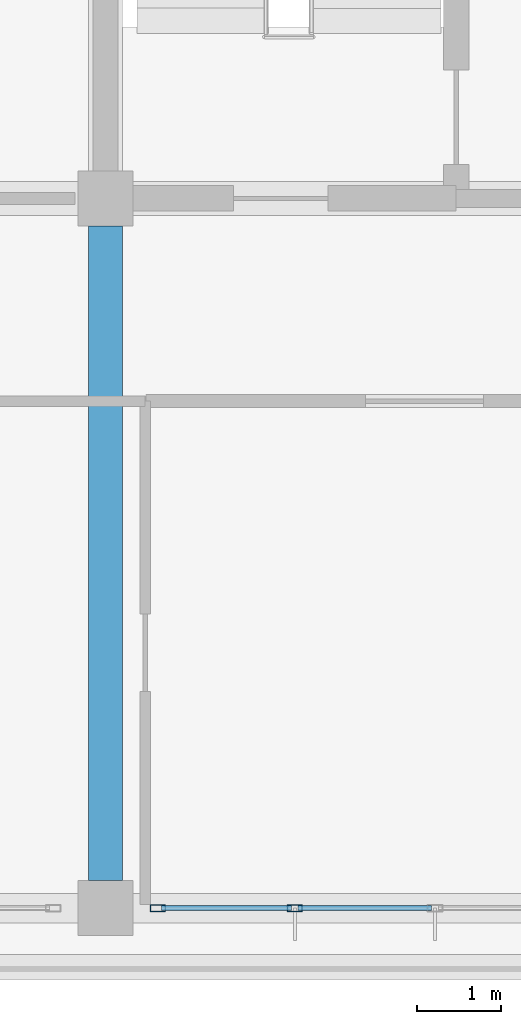
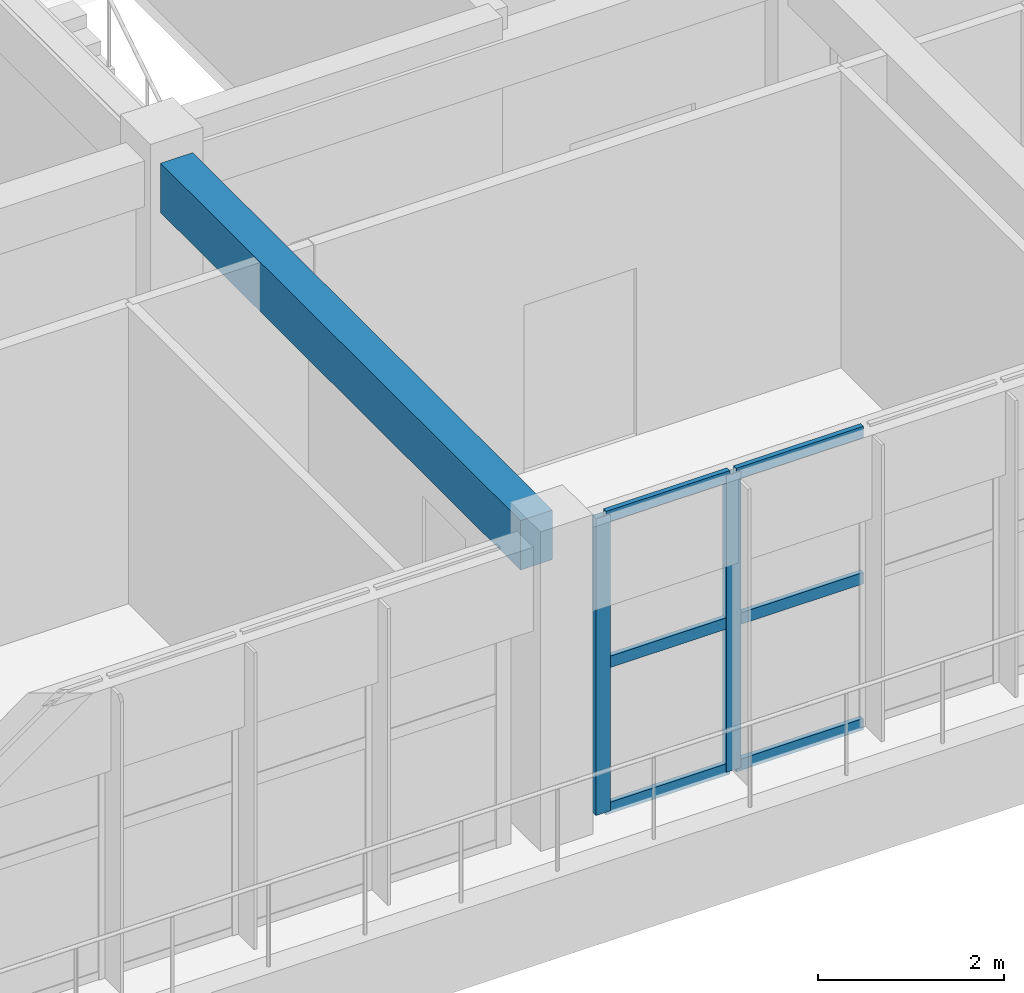
# One storey, part 21 of 57: 8 members, 1 beam, 1 element without a shape of its own.
"""IFC4 building model written with IfcOpenShell, lengths in metres."""

from ifc_helpers import new_model, si_unit, direction, frame, origin, origin_2d, place, context, subcontext, project, spatial, rectangle, hollow_rectangle, extrude, material, layer, layer_set, material_profile, profile_set, type_object, element, aggregate, save


model = new_model("IFC4")

# Units and contexts
model_context = context("Model", 3, precision=1e-05, world=origin(), true_north=direction((0.0, 1.0)))
body_context = subcontext(model_context, "Body", "Model", "MODEL_VIEW")
ifc_project = project(units=[si_unit("LENGTHUNIT", "METRE"), si_unit("AREAUNIT", "SQUARE_METRE"), si_unit("VOLUMEUNIT", "CUBIC_METRE"), si_unit("PLANEANGLEUNIT", "RADIAN"), si_unit("MASSUNIT", "GRAM", prefix="KILO")], contexts=[model_context])

# Site, building, storey
site_placement = place(None, origin())
site = spatial("IfcSite", under=ifc_project, at=site_placement, CompositionType="ELEMENT")
building_placement = place(site_placement, origin())
building = spatial("IfcBuilding", under=site, at=building_placement, Name="Zizhar Promenade General Hospital", CompositionType="ELEMENT")
storey_placement = place(building_placement, frame((0.0, 0.0, 22.199951171875)))
storey = spatial("IfcBuildingStorey", under=building, at=storey_placement, Name="L05", CompositionType="ELEMENT", Elevation=22.199951171875)

# Beam
ifc_material_1 = material(Name="Concrete C35/45", Category="concrete")
ifc_material_profile_1 = material_profile(ifc_material_1, rectangle(XDim=0.39990234375, YDim=0.64990234375, at=origin_2d()))
ifc_profile_set_1 = profile_set([ifc_material_profile_1], Name="Concrete C35/45")
beam_type = type_object("IfcBeamType", Name="BM-RC-400x650", PredefinedType="BEAM", material=ifc_profile_set_1)
beam_placement = place(storey_placement, frame((93.60009765625, 0.324951171875, 3.5849609375), z_axis=(0.0, 1.0, 0.0), x_axis=(-1.0, 0.0, 0.0)))
element("IfcBeam", 1, at=beam_placement, inside=storey, type_object=beam_type, Name="Grid Beam Y L05 (12-0)", PredefinedType="BEAM", context=body_context, shape_type="SweptSolid", body=[
    extrude(rectangle(XDim=0.39990234375, YDim=0.64990234375, at=origin_2d()), origin(), (0.0, 0.0, 1.0), 7.75),
])

# Curtain wall, members
ifc_material_2 = material(Name="Anodised aluminium 6063-T6 and low-E glass", Category="aluminium")
ifc_layer = layer(ifc_material_2, 0.159912109375)
ifc_layer_set = layer_set([ifc_layer], Name="Anodised aluminium 6063-T6 and low-E glass")
curtain_wall_type = type_object("IfcCurtainWallType", Name="CW-WARD-RIB", PredefinedType="NOTDEFINED", material=ifc_layer_set)
curtain_wall_placement = place(storey_placement, origin())
curtain_wall = element("IfcCurtainWall", 2, at=curtain_wall_placement, inside=storey, type_object=curtain_wall_type, Name="Ward Ribbon Curtain Wall L05-17-2", PredefinedType="NOTDEFINED")
ifc_material_3 = material(Name="Anodised aluminium 6063-T6", Category="aluminium")
ifc_material_profile_2 = material_profile(ifc_material_3, hollow_rectangle(XDim=0.080078125, YDim=0.179931640625, WallThickness=0.0048828125, at=origin_2d()))
ifc_profile_set_2 = profile_set([ifc_material_profile_2], Name="Anodised aluminium 6063-T6")
member_type_1 = type_object("IfcMemberType", Name="CWM-ALU-180x80", PredefinedType="MULLION", material=ifc_profile_set_2)
member_1_placement = place(storey_placement, frame((95.840087890625, 0.0, 0.0), z_axis=(0.0, 0.0, 1.0), x_axis=(0.0, -1.0, 0.0)))
member_1 = element("IfcMember", 3, at=member_1_placement, type_object=member_type_1, Name="CW-13 mullion 4", PredefinedType="MULLION", context=body_context, shape_type="SweptSolid", body=[
    extrude(hollow_rectangle(XDim=0.080078125, YDim=0.179931640625, WallThickness=0.0048828125, at=origin_2d()), origin(), (0.0, 0.0, 1.0), 3.900146484375),
])
member_2_placement = place(storey_placement, frame((94.219970703125, 0.0, 0.0), z_axis=(0.0, 0.0, 1.0), x_axis=(0.0, -1.0, 0.0)))
member_2 = element("IfcMember", 4, at=member_2_placement, type_object=member_type_1, Name="CW-13 mullion 5", PredefinedType="MULLION", context=body_context, shape_type="SweptSolid", body=[
    extrude(hollow_rectangle(XDim=0.080078125, YDim=0.179931640625, WallThickness=0.0048828125, at=origin_2d()), origin(), (0.0, 0.0, 1.0), 3.900146484375),
])
ifc_material_4 = material(Name="Anodised aluminium 6063-T6", Category="aluminium")
ifc_material_profile_3 = material_profile(ifc_material_4, hollow_rectangle(XDim=0.06005859375, YDim=0.14990234375, WallThickness=0.00390625, at=origin_2d()))
ifc_profile_set_3 = profile_set([ifc_material_profile_3], Name="Anodised aluminium 6063-T6")
member_type_2 = type_object("IfcMemberType", Name="CWT-ALU-150x60", PredefinedType="USERDEFINED", material=ifc_profile_set_3)
member_3_placement = place(storey_placement, frame((97.4599609375, 0.0, 0.030029296875), z_axis=(-1.0, 0.0, 0.0), x_axis=(0.0, -1.0, 0.0)))
member_3 = element("IfcMember", 5, at=member_3_placement, type_object=member_type_2, Name="CW-13 transom 3.1", ObjectType="TRANSOM", PredefinedType="USERDEFINED", context=body_context, shape_type="SweptSolid", body=[
    extrude(hollow_rectangle(XDim=0.06005859375, YDim=0.14990234375, WallThickness=0.00390625, at=origin_2d()), origin(), (0.0, 0.0, 1.0), 1.580078125),
])
member_4_placement = place(storey_placement, frame((97.4599609375, 0.0, 1.949951171875), z_axis=(-1.0, 0.0, 0.0), x_axis=(0.0, -1.0, 0.0)))
member_4 = element("IfcMember", 6, at=member_4_placement, type_object=member_type_2, Name="CW-13 transom 3.2", ObjectType="TRANSOM", PredefinedType="USERDEFINED", context=body_context, shape_type="SweptSolid", body=[
    extrude(hollow_rectangle(XDim=0.06005859375, YDim=0.14990234375, WallThickness=0.00390625, at=origin_2d()), origin(), (0.0, 0.0, 1.0), 1.580078125),
])
member_5_placement = place(storey_placement, frame((97.4599609375, 0.0, 3.8701171875), z_axis=(-1.0, 0.0, 0.0), x_axis=(0.0, -1.0, 0.0)))
member_5 = element("IfcMember", 7, at=member_5_placement, type_object=member_type_2, Name="CW-13 transom 3.3", ObjectType="TRANSOM", PredefinedType="USERDEFINED", context=body_context, shape_type="SweptSolid", body=[
    extrude(hollow_rectangle(XDim=0.06005859375, YDim=0.14990234375, WallThickness=0.00390625, at=origin_2d()), origin(), (0.0, 0.0, 1.0), 1.580078125),
])
member_6_placement = place(storey_placement, frame((95.800048828125, 0.0, 0.030029296875), z_axis=(-1.0, 0.0, 0.0), x_axis=(0.0, -1.0, 0.0)))
member_6 = element("IfcMember", 8, at=member_6_placement, type_object=member_type_2, Name="CW-13 transom 4.1", ObjectType="TRANSOM", PredefinedType="USERDEFINED", context=body_context, shape_type="SweptSolid", body=[
    extrude(hollow_rectangle(XDim=0.06005859375, YDim=0.14990234375, WallThickness=0.00390625, at=origin_2d()), origin(), (0.0, 0.0, 1.0), 1.5400390625),
])
member_7_placement = place(storey_placement, frame((95.800048828125, 0.0, 1.949951171875), z_axis=(-1.0, 0.0, 0.0), x_axis=(0.0, -1.0, 0.0)))
member_7 = element("IfcMember", 9, at=member_7_placement, type_object=member_type_2, Name="CW-13 transom 4.2", ObjectType="TRANSOM", PredefinedType="USERDEFINED", context=body_context, shape_type="SweptSolid", body=[
    extrude(hollow_rectangle(XDim=0.06005859375, YDim=0.14990234375, WallThickness=0.00390625, at=origin_2d()), origin(), (0.0, 0.0, 1.0), 1.5400390625),
])
member_8_placement = place(storey_placement, frame((95.800048828125, 0.0, 3.8701171875), z_axis=(-1.0, 0.0, 0.0), x_axis=(0.0, -1.0, 0.0)))
member_8 = element("IfcMember", 10, at=member_8_placement, type_object=member_type_2, Name="CW-13 transom 4.3", ObjectType="TRANSOM", PredefinedType="USERDEFINED", context=body_context, shape_type="SweptSolid", body=[
    extrude(hollow_rectangle(XDim=0.06005859375, YDim=0.14990234375, WallThickness=0.00390625, at=origin_2d()), origin(), (0.0, 0.0, 1.0), 1.5400390625),
])
aggregate(curtain_wall, [member_1, member_2, member_3, member_4, member_5, member_6, member_7, member_8])

save(model, "model.ifc")
